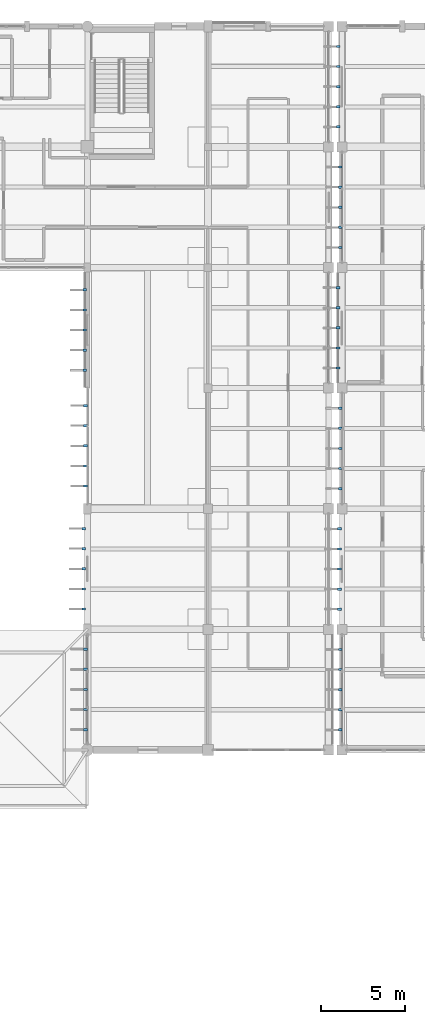
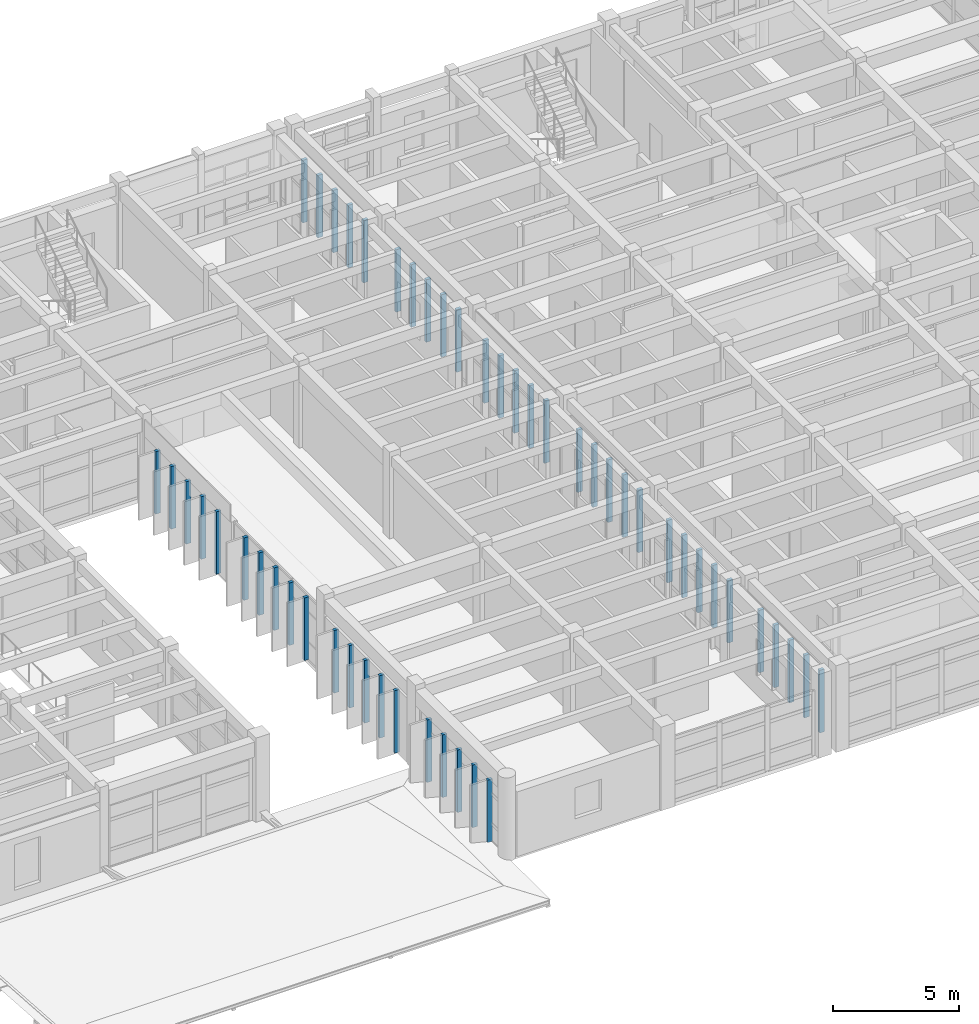
# One storey, part 86 of 100: 50 discrete accessories.
"""IFC4 building model written with IfcOpenShell, lengths in metres."""

from ifc_helpers import new_model, si_unit, direction, frame, origin, origin_2d, place, context, subcontext, project, spatial, rectangle, extrude, material, type_object, element, save


model = new_model("IFC4")

# Units and contexts
model_context = context("Model", 3, precision=1e-05, world=origin(), true_north=direction((0.0, 1.0)))
body_context = subcontext(model_context, "Body", "Model", "MODEL_VIEW")
ifc_project = project(units=[si_unit("LENGTHUNIT", "METRE"), si_unit("AREAUNIT", "SQUARE_METRE"), si_unit("VOLUMEUNIT", "CUBIC_METRE"), si_unit("PLANEANGLEUNIT", "RADIAN"), si_unit("MASSUNIT", "GRAM", prefix="KILO")], contexts=[model_context])

# Site, building, storey
site_placement = place(None, origin())
site = spatial("IfcSite", under=ifc_project, at=site_placement, CompositionType="ELEMENT")
building_placement = place(site_placement, origin())
building = spatial("IfcBuilding", under=site, at=building_placement, Name="Steenspoor Specialist Clinic", CompositionType="ELEMENT")
storey_placement = place(building_placement, frame((0.0, 0.0, 9.0)))
storey = spatial("IfcBuildingStorey", under=building, at=storey_placement, Name="L02", CompositionType="ELEMENT", Elevation=9.0)

# Discrete accessories
ifc_material = material(Name="Galvanised steel mounting bracket", Category="steel")
discrete_accessory_type = type_object("IfcDiscreteAccessoryType", Name="ACC-BRACKET-FIN", PredefinedType="BRACKET", material=ifc_material)
for number, where, z_axis, x_axis, name in (
    (1, (102.68994140625, 66.362548828125, 0.0498046875), (0.0, 0.0, 1.0), (-1.0, 0.0, 0.0), "Fin Mounting Bracket 26"),
    (2, (102.68994140625, 67.5625, 0.0498046875), (0.0, 0.0, 1.0), (-1.0, 0.0, 0.0), "Fin Mounting Bracket 27"),
    (3, (102.68994140625, 68.762451171875, 0.0498046875), (0.0, 0.0, 1.0), (-1.0, 0.0, 0.0), "Fin Mounting Bracket 28"),
    (4, (102.68994140625, 69.96240234375, 0.0498046875), (0.0, 0.0, 1.0), (-1.0, 0.0, 0.0), "Fin Mounting Bracket 29"),
    (5, (102.68994140625, 71.16259765625, 0.0498046875), (0.0, 0.0, 1.0), (-1.0, 0.0, 0.0), "Fin Mounting Bracket 30"),
    (6, (102.590087890625, 73.5625, 0.0498046875), (0.0, 0.0, 1.0), (-1.0, 0.0, 0.0), "Fin Mounting Bracket 31"),
    (7, (102.590087890625, 74.762451171875, 0.0498046875), (0.0, 0.0, 1.0), (-1.0, 0.0, 0.0), "Fin Mounting Bracket 32"),
    (8, (102.590087890625, 75.96240234375, 0.0498046875), (0.0, 0.0, 1.0), (-1.0, 0.0, 0.0), "Fin Mounting Bracket 33"),
    (9, (102.590087890625, 77.16259765625, 0.0498046875), (0.0, 0.0, 1.0), (-1.0, 0.0, 0.0), "Fin Mounting Bracket 34"),
    (10, (102.590087890625, 78.362548828125, 0.0498046875), (0.0, 0.0, 1.0), (-1.0, 0.0, 0.0), "Fin Mounting Bracket 35"),
    (11, (102.68994140625, 80.90625, 0.0498046875), (0.0, 0.0, 1.0), (-1.0, 0.0, 0.0), "Fin Mounting Bracket 36"),
    (12, (102.68994140625, 82.106201171875, 0.0498046875), (0.0, 0.0, 1.0), (-1.0, 0.0, 0.0), "Fin Mounting Bracket 37"),
    (13, (102.68994140625, 83.30615234375, 0.0498046875), (0.0, 0.0, 1.0), (-1.0, 0.0, 0.0), "Fin Mounting Bracket 38"),
    (14, (102.68994140625, 84.506103515625, 0.0498046875), (0.0, 0.0, 1.0), (-1.0, 0.0, 0.0), "Fin Mounting Bracket 39"),
    (15, (102.68994140625, 85.706298828125, 0.0498046875), (0.0, 0.0, 1.0), (-1.0, 0.0, 0.0), "Fin Mounting Bracket 40"),
    (16, (102.64990234375, 87.81884765625, 0.0498046875), (0.0, 0.0, 1.0), (-1.0, 0.0, 0.0), "Fin Mounting Bracket 41"),
    (17, (102.64990234375, 89.018798828125, 0.0498046875), (0.0, 0.0, 1.0), (-1.0, 0.0, 0.0), "Fin Mounting Bracket 42"),
    (18, (102.64990234375, 90.21875, 0.0498046875), (0.0, 0.0, 1.0), (-1.0, 0.0, 0.0), "Fin Mounting Bracket 43"),
    (19, (102.64990234375, 91.418701171875, 0.0498046875), (0.0, 0.0, 1.0), (-1.0, 0.0, 0.0), "Fin Mounting Bracket 44"),
    (20, (102.64990234375, 92.618896484375, 0.0498046875), (0.0, 0.0, 1.0), (-1.0, 0.0, 0.0), "Fin Mounting Bracket 45"),
    (21, (117.889892578125, 66.35009765625, 0.0498046875), (0.0, 0.0, 1.0), (-1.0, 0.0, 0.0), "Fin Mounting Bracket 150"),
    (22, (117.889892578125, 67.550048828125, 0.0498046875), (0.0, 0.0, 1.0), (-1.0, 0.0, 0.0), "Fin Mounting Bracket 151"),
    (23, (117.889892578125, 68.75, 0.0498046875), (0.0, 0.0, 1.0), (-1.0, 0.0, 0.0), "Fin Mounting Bracket 152"),
    (24, (117.889892578125, 69.949951171875, 0.0498046875), (0.0, 0.0, 1.0), (-1.0, 0.0, 0.0), "Fin Mounting Bracket 153"),
    (25, (117.889892578125, 71.14990234375, 0.0498046875), (0.0, 0.0, 1.0), (-1.0, 0.0, 0.0), "Fin Mounting Bracket 154"),
    (26, (117.85009765625, 73.550048828125, 0.0498046875), (0.0, 0.0, 1.0), (-1.0, 0.0, 0.0), "Fin Mounting Bracket 155"),
    (27, (117.85009765625, 74.75, 0.0498046875), (0.0, 0.0, 1.0), (-1.0, 0.0, 0.0), "Fin Mounting Bracket 156"),
    (28, (117.85009765625, 75.949951171875, 0.0498046875), (0.0, 0.0, 1.0), (-1.0, 0.0, 0.0), "Fin Mounting Bracket 157"),
    (29, (117.85009765625, 77.14990234375, 0.0498046875), (0.0, 0.0, 1.0), (-1.0, 0.0, 0.0), "Fin Mounting Bracket 158"),
    (30, (117.85009765625, 78.35009765625, 0.0498046875), (0.0, 0.0, 1.0), (-1.0, 0.0, 0.0), "Fin Mounting Bracket 159"),
    (31, (117.889892578125, 80.75, 0.0498046875), (0.0, 0.0, 1.0), (-1.0, 0.0, 0.0), "Fin Mounting Bracket 160"),
    (32, (117.889892578125, 81.949951171875, 0.0498046875), (0.0, 0.0, 1.0), (-1.0, 0.0, 0.0), "Fin Mounting Bracket 161"),
    (33, (117.889892578125, 83.14990234375, 0.0498046875), (0.0, 0.0, 1.0), (-1.0, 0.0, 0.0), "Fin Mounting Bracket 162"),
    (34, (117.889892578125, 84.35009765625, 0.0498046875), (0.0, 0.0, 1.0), (-1.0, 0.0, 0.0), "Fin Mounting Bracket 163"),
    (35, (117.889892578125, 85.550048828125, 0.0498046875), (0.0, 0.0, 1.0), (-1.0, 0.0, 0.0), "Fin Mounting Bracket 164"),
    (36, (117.760009765625, 87.949951171875, 0.0498046875), (0.0, 0.0, 1.0), (-1.0, 0.0, 0.0), "Fin Mounting Bracket 165"),
    (37, (117.760009765625, 89.14990234375, 0.0498046875), (0.0, 0.0, 1.0), (-1.0, 0.0, 0.0), "Fin Mounting Bracket 166"),
    (38, (117.760009765625, 90.35009765625, 0.0498046875), (0.0, 0.0, 1.0), (-1.0, 0.0, 0.0), "Fin Mounting Bracket 167"),
    (39, (117.760009765625, 91.550048828125, 0.0498046875), (0.0, 0.0, 1.0), (-1.0, 0.0, 0.0), "Fin Mounting Bracket 168"),
    (40, (117.760009765625, 92.75, 0.0498046875), (0.0, 0.0, 1.0), (-1.0, 0.0, 0.0), "Fin Mounting Bracket 169"),
    (41, (117.889892578125, 95.14990234375, 0.0498046875), (0.0, 0.0, 1.0), (-1.0, 0.0, 0.0), "Fin Mounting Bracket 170"),
    (42, (117.889892578125, 96.35009765625, 0.0498046875), (0.0, 0.0, 1.0), (-1.0, 0.0, 0.0), "Fin Mounting Bracket 171"),
    (43, (117.889892578125, 97.550048828125, 0.0498046875), (0.0, 0.0, 1.0), (-1.0, 0.0, 0.0), "Fin Mounting Bracket 172"),
    (44, (117.889892578125, 98.75, 0.0498046875), (0.0, 0.0, 1.0), (-1.0, 0.0, 0.0), "Fin Mounting Bracket 173"),
    (45, (117.889892578125, 99.949951171875, 0.0498046875), (0.0, 0.0, 1.0), (-1.0, 0.0, 0.0), "Fin Mounting Bracket 174"),
    (46, (117.77490234375, 102.35009765625, 0.0498046875), (0.0, 0.0, 1.0), (-1.0, 0.0, 0.0), "Fin Mounting Bracket 175"),
    (47, (117.77490234375, 103.550048828125, 0.0498046875), (0.0, 0.0, 1.0), (-1.0, 0.0, 0.0), "Fin Mounting Bracket 176"),
    (48, (117.77490234375, 104.75, 0.0498046875), (0.0, 0.0, 1.0), (-1.0, 0.0, 0.0), "Fin Mounting Bracket 177"),
    (49, (117.77490234375, 105.949951171875, 0.0498046875), (0.0, 0.0, 1.0), (-1.0, 0.0, 0.0), "Fin Mounting Bracket 178"),
    (50, (117.77490234375, 107.14990234375, 0.0498046875), (0.0, 0.0, 1.0), (-1.0, 0.0, 0.0), "Fin Mounting Bracket 179"),
):
    element("IfcDiscreteAccessory", number, at=place(storey_placement, frame(where, z_axis=z_axis, x_axis=x_axis)), inside=storey, type_object=discrete_accessory_type, Name=name, PredefinedType="BRACKET", context=body_context, shape_type="SweptSolid", body=[
        extrude(rectangle(XDim=0.219970703125, YDim=0.139892578125, at=origin_2d()), origin(), (0.0, 0.0, 1.0), 3.030029296875),
    ])

save(model, "model.ifc")
